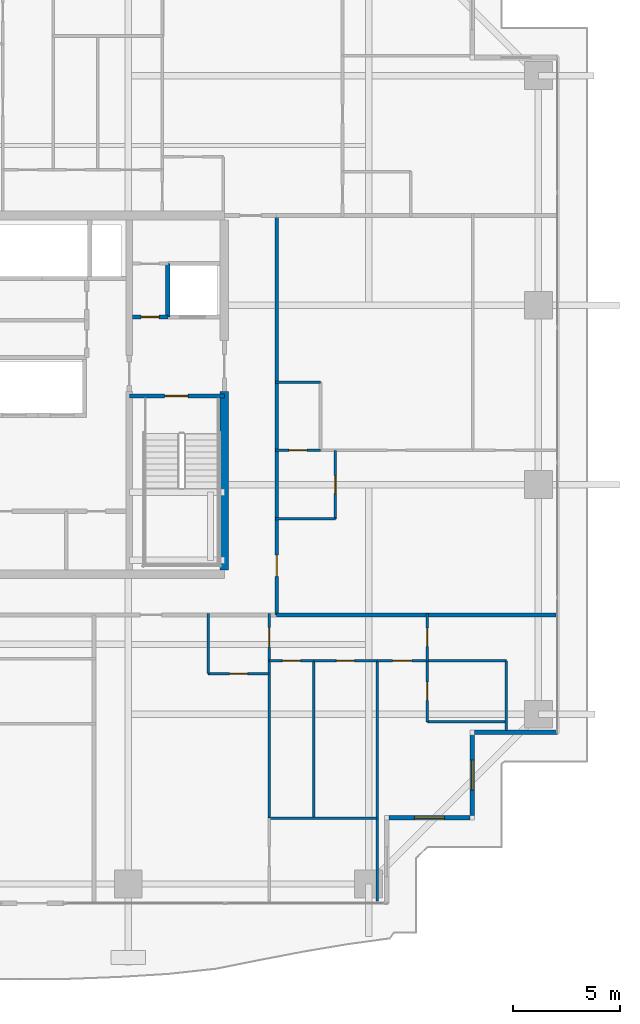
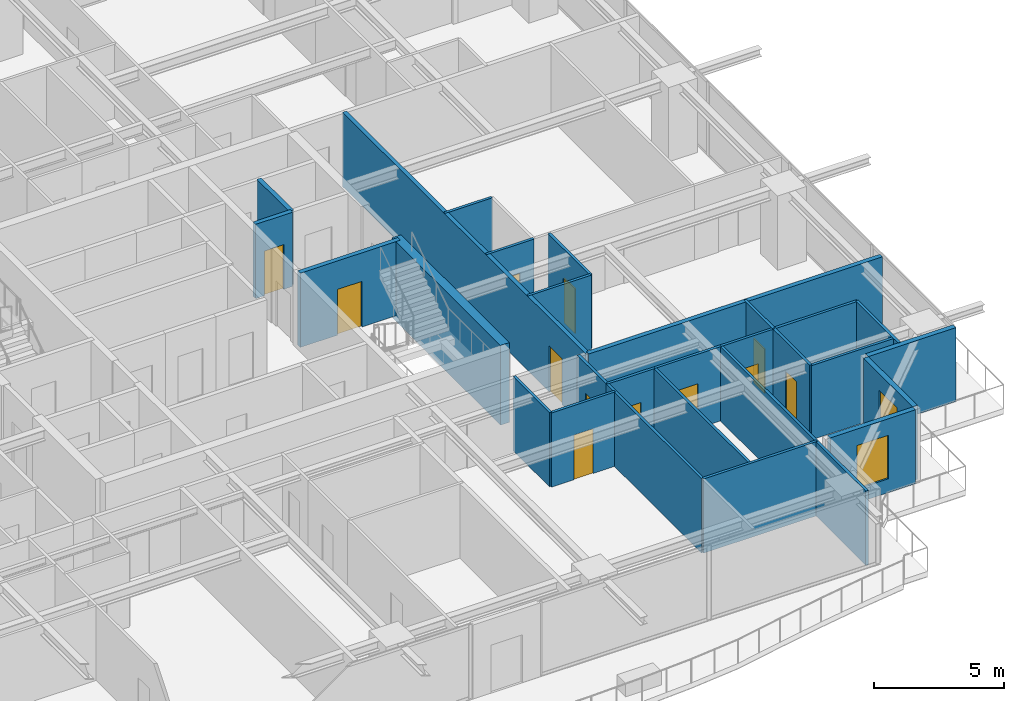
# One storey, part 26 of 35: 28 walls, 12 doors, 2 windows, 14 openings.
"""IFC4 building model written with IfcOpenShell, lengths in metres."""

import ifcopenshell
import ifcopenshell.guid

model = None  # the IFC model being written
_history = None  # IfcOwnerHistory: only IFC2X3 demands one
_inside = {}  # id of a spatial element -> (the spatial element, [elements in it])
_under = {}  # id of a project, library or spatial element -> (it, [spatial elements below it])
_declared = {}  # id of a project -> (the project, [libraries it declares])
_typed = {}  # id of a type object -> (the type object, [elements of that type])
_made_of = {}  # id of a material, layer set ... -> (it, [elements and type objects made of it])


def new_model(schema):
    """Start an empty IFC model of exactly this schema.

    Asked for "IFC4X3", IfcOpenShell would pick the latest addendum, in which some entities
    have other attributes; the version numbers below select the first issue.
    IFC2X3 requires an IfcOwnerHistory on every rooted entity: one is made here for all.
    """
    global model, _history
    if schema == "IFC4X3":
        model = ifcopenshell.file(schema_version=(4, 3, 0, 0))
    else:
        model = ifcopenshell.file(schema=schema)
    _inside.clear()
    _under.clear()
    _declared.clear()
    _typed.clear()
    _made_of.clear()
    _history = None
    if model.schema == "IFC2X3":
        org = make("IfcOrganization", Name="unknown")
        user = make(
            "IfcPersonAndOrganization",
            ThePerson=make("IfcPerson", FamilyName="unknown"),
            TheOrganization=org,
        )
        app = make(
            "IfcApplication",
            ApplicationDeveloper=org,
            Version="unknown",
            ApplicationFullName="unknown",
            ApplicationIdentifier="unknown",
        )
        _history = make(
            "IfcOwnerHistory",
            OwningUser=user,
            OwningApplication=app,
            ChangeAction="ADDED",
            CreationDate=0,
        )
    return model


def make(cls, **values):
    """One entity of the class cls with the attributes given. An attribute that is None is left unset."""
    return model.create_entity(
        cls, **{name: value for name, value in values.items() if value is not None}
    )


def rooted(cls, **values):
    """An entity with a GlobalId (a new one), such as an element, a storey or a relation."""
    return make(cls, GlobalId=ifcopenshell.guid.new(), OwnerHistory=_history, **values)


def si_unit(unit_type, name, prefix=None):
    """IfcSIUnit, for example si_unit("LENGTHUNIT", "METRE", prefix="MILLI")."""
    return make("IfcSIUnit", UnitType=unit_type, Prefix=prefix, Name=name)


def assignment(units):
    """IfcUnitAssignment: the units of a project."""
    return None if units is None else make("IfcUnitAssignment", Units=units)


def point(xyz):
    """IfcCartesianPoint."""
    return None if xyz is None else make("IfcCartesianPoint", Coordinates=xyz)


def direction(xyz):
    """IfcDirection."""
    return None if xyz is None else make("IfcDirection", DirectionRatios=xyz)


def frame(location, z_axis=None, x_axis=None):
    """IfcAxis2Placement3D, a coordinate frame: its origin and axes. An axis left out is left unset."""
    return make(
        "IfcAxis2Placement3D",
        Location=point(location),
        Axis=direction(z_axis),
        RefDirection=direction(x_axis),
    )


def frame_2d(location, x_axis=None):
    """IfcAxis2Placement2D, a coordinate frame in the plane: its origin and x axis."""
    return make(
        "IfcAxis2Placement2D", Location=point(location), RefDirection=direction(x_axis)
    )


def origin():
    """The frame at (0, 0, 0) with its axes left unset."""
    return frame((0.0, 0.0, 0.0))


def place(relative_to, where):
    """IfcLocalPlacement: puts the frame where relative to a parent placement (None: the world)."""
    return make(
        "IfcLocalPlacement", PlacementRelTo=relative_to, RelativePlacement=where
    )


def context(
    kind, dimensions, precision=None, world=None, true_north=None, identifier=None
):
    """IfcGeometricRepresentationContext, for example the 3D "Model" context."""
    return make(
        "IfcGeometricRepresentationContext",
        ContextIdentifier=identifier,
        ContextType=kind,
        CoordinateSpaceDimension=dimensions,
        Precision=precision,
        WorldCoordinateSystem=world,
        TrueNorth=true_north,
    )


def subcontext(parent, identifier, kind, view, scale=None):
    """IfcGeometricRepresentationSubContext, for example "Body" below "Model"."""
    return make(
        "IfcGeometricRepresentationSubContext",
        ContextIdentifier=identifier,
        ContextType=kind,
        ParentContext=parent,
        TargetScale=scale,
        TargetView=view,
    )


def project(units=None, contexts=None):
    """IfcProject with its units and contexts."""
    return rooted(
        "IfcProject",
        Name="project",
        RepresentationContexts=contexts,
        UnitsInContext=assignment(units),
    )


def spatial(cls, under=None, at=None, **own):
    """A site, building, storey or space (cls), placed at a placement, below another one or the project."""
    s = rooted(cls, ObjectPlacement=at, **own)
    if under is not None:
        _under.setdefault(under.id(), (under, []))[1].append(s)
    return s


def profile(cls, at=None, kind="AREA", **sizes):
    """A parametric profile (cls). Its sizes go by their IFC names, for example OverallWidth=200.0."""
    return make(cls, ProfileType=kind, Position=at, **sizes)


def rectangle(**sizes):
    """IfcRectangleProfileDef."""
    return profile("IfcRectangleProfileDef", **sizes)


def extrude(swept, where, along, depth):
    """IfcExtrudedAreaSolid: the profile swept, set in the frame where, extruded along a direction by depth."""
    return make(
        "IfcExtrudedAreaSolid",
        SweptArea=swept,
        Position=where,
        ExtrudedDirection=direction(along),
        Depth=depth,
    )


def shape(context_of_items, identifier, shape_type, items):
    """IfcShapeRepresentation: the items that make up one representation, for example the "Body"."""
    return make(
        "IfcShapeRepresentation",
        ContextOfItems=context_of_items,
        RepresentationIdentifier=identifier,
        RepresentationType=shape_type,
        Items=items,
    )


def source(mapping_origin, context_of_items, identifier, shape_type, items):
    """IfcRepresentationMap: a shape defined once, which mapped items show again and again."""
    return make(
        "IfcRepresentationMap",
        MappingOrigin=mapping_origin,
        MappedRepresentation=shape(context_of_items, identifier, shape_type, items),
    )


def transform(
    local_origin,
    x_axis=None,
    y_axis=None,
    z_axis=None,
    scale=None,
    scale2=None,
    scale3=None,
    uniform=True,
):
    """IfcCartesianTransformationOperator3D, or its non-uniform kind. x_axis, y_axis, z_axis: its Axis1, 2, 3."""
    if uniform:
        return make(
            "IfcCartesianTransformationOperator3D",
            Axis1=direction(x_axis),
            Axis2=direction(y_axis),
            LocalOrigin=point(local_origin),
            Scale=scale,
            Axis3=direction(z_axis),
        )
    return make(
        "IfcCartesianTransformationOperator3DnonUniform",
        Axis1=direction(x_axis),
        Axis2=direction(y_axis),
        LocalOrigin=point(local_origin),
        Scale=scale,
        Axis3=direction(z_axis),
        Scale2=scale2,
        Scale3=scale3,
    )


def mapped(mapping_source, mapping_target):
    """IfcMappedItem: shows the shape of a source again, moved by a transform."""
    return make(
        "IfcMappedItem", MappingSource=mapping_source, MappingTarget=mapping_target
    )


def material(Name=None, Category=None):
    """IfcMaterial."""
    return make("IfcMaterial", Name=Name, Category=Category)


def layer(
    of_material, thickness, ventilated=None, Name=None, Category=None, Priority=None
):
    """IfcMaterialLayer: one layer of a wall or slab, of a material (None: an air gap)."""
    return make(
        "IfcMaterialLayer",
        Material=of_material,
        LayerThickness=thickness,
        IsVentilated=ventilated,
        Name=Name,
        Category=Category,
        Priority=Priority,
    )


def layer_set(layers, Name=None):
    """IfcMaterialLayerSet."""
    return make("IfcMaterialLayerSet", MaterialLayers=layers, LayerSetName=Name)


def made_of(thing, what):
    """Note that an element or type object is made of a material, layer set ...; save() writes the relation."""
    if what is not None:
        _made_of.setdefault(what.id(), (what, []))[1].append(thing)
    return thing


def type_object(cls, material=None, **own):
    """A type object (cls), such as IfcWallType, which elements share."""
    return made_of(rooted(cls, **own), material)


def element(
    cls,
    number,
    at=None,
    inside=None,
    cuts=None,
    type_object=None,
    material=None,
    context=None,
    identifier="Body",
    shape_type=None,
    held_by="IfcProductDefinitionShape",
    body=None,
    shapes=None,
    **own,
):
    """One element of the class cls, such as IfcWall. Its Tag is "e" and its number.

    at: its placement. inside: the storey or other place that contains it. cuts: it is an
    opening in that element (IfcRelVoidsElement). A single representation is given by context,
    identifier, shape_type and body (its items); several are given by shapes. held_by: the class
    of the entity that holds the representations. save() writes the other relations.
    """
    e = rooted(cls, Tag="e%d" % number, ObjectPlacement=at, **own)
    if body is not None:
        shapes = [shape(context, identifier, shape_type, body)]
    if shapes is not None:
        e.Representation = make(held_by, Representations=shapes)
    if inside is not None:
        _inside.setdefault(inside.id(), (inside, []))[1].append(e)
    if cuts is not None:
        rooted(
            "IfcRelVoidsElement", RelatingBuildingElement=cuts, RelatedOpeningElement=e
        )
    if type_object is not None:
        _typed.setdefault(type_object.id(), (type_object, []))[1].append(e)
    return made_of(e, material)


def fill(opening, filler):
    """IfcRelFillsElement: the door or window that sits in an opening."""
    return rooted(
        "IfcRelFillsElement",
        RelatingOpeningElement=opening,
        RelatedBuildingElement=filler,
    )


def aggregate(whole, parts):
    """IfcRelAggregates: a whole, such as a stair, and the parts it consists of."""
    return rooted("IfcRelAggregates", RelatingObject=whole, RelatedObjects=parts)


def save(model, path):
    """Write the relations noted so far, then the file.

    IfcRelAggregates (storeys below a building ...), IfcRelContainedInSpatialStructure (elements
    in a storey), IfcRelDefinesByType, IfcRelAssociatesMaterial and IfcRelDeclares: one each for
    every whole, place, type object, material and project.
    """
    for whole, parts in _under.values():
        aggregate(whole, parts)
    for where, things in _inside.values():
        rooted(
            "IfcRelContainedInSpatialStructure",
            RelatedElements=things,
            RelatingStructure=where,
        )
    for kind, things in _typed.values():
        rooted("IfcRelDefinesByType", RelatedObjects=things, RelatingType=kind)
    for what, things in _made_of.values():
        rooted("IfcRelAssociatesMaterial", RelatedObjects=things, RelatingMaterial=what)
    for by, libraries in _declared.values():
        rooted("IfcRelDeclares", RelatingContext=by, RelatedDefinitions=libraries)
    model.write(path)


model = new_model("IFC4")

# Units and contexts
model_context = context("Model", 3, precision=1e-05, world=origin(), true_north=direction((0.0, 1.0)))
body_context = subcontext(model_context, "Body", "Model", "MODEL_VIEW")
ifc_project = project(units=[si_unit("LENGTHUNIT", "METRE"), si_unit("AREAUNIT", "SQUARE_METRE"), si_unit("VOLUMEUNIT", "CUBIC_METRE"), si_unit("PLANEANGLEUNIT", "RADIAN"), si_unit("MASSUNIT", "GRAM", prefix="KILO")], contexts=[model_context])

# Site, building, storey
site_placement = place(None, origin())
site = spatial("IfcSite", under=ifc_project, at=site_placement, CompositionType="ELEMENT")
building_placement = place(site_placement, origin())
building = spatial("IfcBuilding", under=site, at=building_placement, Name="Serunith Strait Residences", CompositionType="ELEMENT")
storey_placement = place(building_placement, frame((0.0, 0.0, 172.64990234375)))
storey = spatial("IfcBuildingStorey", under=building, at=storey_placement, Name="L43", CompositionType="ELEMENT", Elevation=172.64990234375)

# Wall, opening, window
ifc_material_1 = material(Name="Pale-Champagne Aluminium Insulated Panel", Category="aluminium")
ifc_layer_1 = layer(ifc_material_1, 0.219970703125, Name="Pale-Champagne Aluminium Insulated Panel")
ifc_layer_set_1 = layer_set([ifc_layer_1], Name="Pale-Champagne Aluminium Insulated Panel")
wall_type_1 = type_object("IfcWallType", Name="EW-ALUM-220", PredefinedType="ELEMENTEDWALL", material=ifc_layer_set_1)
wall_1_placement = place(storey_placement, frame((49.110107421875, 5.39990234375, 0.0), z_axis=(0.0, 0.0, 1.0), x_axis=(1.0, 0.0, 0.0)))
wall_1 = element("IfcWall", 1, at=wall_1_placement, inside=storey, type_object=wall_type_1, Name="L43 Girih Serrated Corner Wall 03", PredefinedType="ELEMENTEDWALL", context=body_context, shape_type="SweptSolid", body=[
    extrude(rectangle(XDim=3.77978515625, YDim=0.219970703125, at=frame_2d((1.889892578125, 0.0))), origin(), (0.0, 0.0, 1.0), 3.47509765625),
])
opening_1_placement = place(wall_1_placement, frame((1.18994140625, 0.0, 0.64990234375)))
opening_1 = element("IfcOpeningElement", 2, at=opening_1_placement, cuts=wall_1, Name="Opening W-03", PredefinedType="OPENING", context=body_context, shape_type="SweptSolid", body=[
    extrude(rectangle(XDim=1.39990234375, YDim=2.050048828125, at=frame_2d((0.699951171875, 1.02490234375))), frame((0.0, 0.1201171875, 0.0), z_axis=(0.0, -1.0, 0.0), x_axis=(1.0, 0.0, 0.0)), (0.0, 0.0, 1.0), 0.239990234375),
])
ifc_material_2 = material(Name="Ceramic-Fritted Operable Aluminium Window Glass", Category="aluminium")
window_type = type_object("IfcWindowType", Name="WIN-C3", PartitioningType="SINGLE_PANEL", PredefinedType="WINDOW", material=ifc_material_2)
shared_shape_1 = source(origin(), body_context, "Body", "SweptSolid", [
    extrude(rectangle(XDim=1.39990234375, YDim=2.050048828125, at=frame_2d((0.699951171875, 1.02490234375))), frame((0.0, 0.030029296875, 0.0), z_axis=(0.0, -1.0, 0.0), x_axis=(1.0, 0.0, 0.0)), (0.0, 0.0, 1.0), 0.06005859375),
])
window_1_placement = place(opening_1_placement, origin())
window_1 = element("IfcWindow", 3, at=window_1_placement, inside=storey, type_object=window_type, Name="L43 Corner Operable Fritted Window 03", OverallHeight=2.050048828125, OverallWidth=1.39990234375, PartitioningType="SINGLE_PANEL", PredefinedType="WINDOW", context=body_context, shape_type="MappedRepresentation", body=[
    mapped(shared_shape_1, transform((0.0, 0.0, 0.0), scale=1.0)),
])
fill(opening_1, window_1)

wall_2_placement = place(storey_placement, frame((53.0, 5.510009765625, 0.0), z_axis=(0.0, 0.0, 1.0), x_axis=(0.0, 1.0, 0.0)))
wall_2 = element("IfcWall", 4, at=wall_2_placement, inside=storey, type_object=wall_type_1, Name="L43 Girih Serrated Corner Wall 04", PredefinedType="ELEMENTEDWALL", context=body_context, shape_type="SweptSolid", body=[
    extrude(rectangle(XDim=3.780029296875, YDim=0.219970703125, at=frame_2d((1.89013671875, 0.0))), origin(), (0.0, 0.0, 1.0), 3.47509765625),
])
opening_2_placement = place(wall_2_placement, frame((1.18994140625, 0.0, 0.64990234375)))
opening_2 = element("IfcOpeningElement", 5, at=opening_2_placement, cuts=wall_2, Name="Opening W-03", PredefinedType="OPENING", context=body_context, shape_type="SweptSolid", body=[
    extrude(rectangle(XDim=1.39990234375, YDim=2.050048828125, at=frame_2d((0.699951171875, 1.02490234375))), frame((0.0, 0.1201171875, 0.0), z_axis=(0.0, -1.0, 0.0), x_axis=(1.0, 0.0, 0.0)), (0.0, 0.0, 1.0), 0.239990234375),
])
window_2_placement = place(opening_2_placement, origin())
window_2 = element("IfcWindow", 6, at=window_2_placement, inside=storey, type_object=window_type, Name="L43 Corner Operable Fritted Window 04", OverallHeight=2.050048828125, OverallWidth=1.39990234375, PartitioningType="SINGLE_PANEL", PredefinedType="WINDOW", context=body_context, shape_type="MappedRepresentation", body=[
    mapped(shared_shape_1, transform((0.0, 0.0, 0.0), scale=1.0)),
])
fill(opening_2, window_2)

# Wall
wall_3_placement = place(storey_placement, frame((53.110107421875, 9.39990234375, 0.0), z_axis=(0.0, 0.0, 1.0), x_axis=(1.0, 0.0, 0.0)))
element("IfcWall", 7, at=wall_3_placement, inside=storey, type_object=wall_type_1, Name="L43 Girih Serrated Corner Wall 05", PredefinedType="ELEMENTEDWALL", context=body_context, shape_type="SweptSolid", body=[
    extrude(rectangle(XDim=3.889892578125, YDim=0.219970703125, at=frame_2d((1.94482421875, 0.0))), origin(), (0.0, 0.0, 1.0), 3.47509765625),
])

# Wall, opening, door
ifc_material_3 = material(Name="Fire-rated acoustic gypsum partition")
ifc_layer_2 = layer(ifc_material_3, 0.179931640625, Name="Fire-rated acoustic gypsum partition")
ifc_layer_set_2 = layer_set([ifc_layer_2], Name="Fire-rated acoustic gypsum partition")
wall_type_2 = type_object("IfcWallType", Name="IW-CORR-180", PredefinedType="PARTITIONING", material=ifc_layer_set_2)
wall_4_placement = place(storey_placement, frame((43.85009765625, 14.89990234375, 0.0), z_axis=(0.0, 0.0, 1.0), x_axis=(0.0, 1.0, 0.0)))
wall_4 = element("IfcWall", 8, at=wall_4_placement, inside=storey, type_object=wall_type_2, Name="L43 Partition Wall 030", PredefinedType="PARTITIONING", context=body_context, shape_type="SweptSolid", body=[
    extrude(rectangle(XDim=18.7001953125, YDim=0.179931640625, at=frame_2d((9.35009765625, 0.0))), origin(), (0.0, 0.0, 1.0), 3.489990234375),
])
opening_3_placement = place(wall_4_placement, frame((1.804931640625, 0.0, 0.0)))
opening_3 = element("IfcOpeningElement", 9, at=opening_3_placement, cuts=wall_4, Name="Opening D-APT1000", PredefinedType="OPENING", context=body_context, shape_type="SweptSolid", body=[
    extrude(rectangle(XDim=1.0, YDim=2.14990234375, at=frame_2d((0.5, 1.074951171875))), frame((0.0, 0.10009765625, 0.0), z_axis=(0.0, -1.0, 0.0), x_axis=(1.0, 0.0, 0.0)), (0.0, 0.0, 1.0), 0.199951171875),
])
ifc_material_4 = material(Name="Solid timber engineered fire door", Category="wood")
door_type_1 = type_object("IfcDoorType", Name="ID-APT-1000", OperationType="NOTDEFINED", PredefinedType="DOOR", material=ifc_material_4)
shared_shape_2 = source(origin(), body_context, "Body", "SweptSolid", [
    extrude(rectangle(XDim=1.0, YDim=2.14990234375, at=frame_2d((0.5, 1.074951171875))), frame((0.0, 0.02490234375, 0.0), z_axis=(0.0, -1.0, 0.0), x_axis=(1.0, 0.0, 0.0)), (0.0, 0.0, 1.0), 0.050048828125),
])
door_1_placement = place(opening_3_placement, origin())
door_1 = element("IfcDoor", 10, at=door_1_placement, inside=storey, type_object=door_type_1, Name="L43 Unit 08 Entrance Door", OperationType="SINGLE_SWING_RIGHT", OverallHeight=2.14990234375, OverallWidth=1.0, PredefinedType="DOOR", context=body_context, shape_type="MappedRepresentation", body=[
    mapped(shared_shape_2, transform((0.0, 0.0, 0.0), scale=1.0)),
])
fill(opening_3, door_1)

ifc_material_5 = material(Name="Lightweight steel-stud gypsum partition", Category="steel")
ifc_layer_3 = layer(ifc_material_5, 0.1201171875, Name="Lightweight steel-stud gypsum partition")
ifc_layer_set_3 = layer_set([ifc_layer_3], Name="Lightweight steel-stud gypsum partition")
wall_type_3 = type_object("IfcWallType", Name="IW-PART-120", PredefinedType="PARTITIONING", material=ifc_layer_set_3)
wall_5_placement = place(storey_placement, frame((40.639892578125, 12.14990234375, 0.0), z_axis=(0.0, 0.0, 1.0), x_axis=(1.0, 0.0, 0.0)))
wall_5 = element("IfcWall", 11, at=wall_5_placement, inside=storey, type_object=wall_type_3, Name="L43 Partition Wall 046", PredefinedType="PARTITIONING", context=body_context, shape_type="SweptSolid", body=[
    extrude(rectangle(XDim=2.85009765625, YDim=0.1201171875, at=frame_2d((1.425048828125, 0.0))), origin(), (0.0, 0.0, 1.0), 3.489990234375),
])
opening_4_placement = place(wall_5_placement, frame((1.0, 0.0, 0.0)))
opening_4 = element("IfcOpeningElement", 12, at=opening_4_placement, cuts=wall_5, Name="Opening D-RM850", PredefinedType="OPENING", context=body_context, shape_type="SweptSolid", body=[
    extrude(rectangle(XDim=0.85009765625, YDim=2.10009765625, at=frame_2d((0.425048828125, 1.050048828125))), frame((0.0, 0.070068359375, 0.0), z_axis=(0.0, -1.0, 0.0), x_axis=(1.0, 0.0, 0.0)), (0.0, 0.0, 1.0), 0.14013671875),
])
ifc_material_6 = material(Name="Engineered timber flush study and kitchen door", Category="wood")
door_type_2 = type_object("IfcDoorType", Name="ID-ROOM-850", OperationType="NOTDEFINED", PredefinedType="DOOR", material=ifc_material_6)
shared_shape_3 = source(origin(), body_context, "Body", "SweptSolid", [
    extrude(rectangle(XDim=0.85009765625, YDim=2.10009765625, at=frame_2d((0.425048828125, 1.050048828125))), frame((0.0, 0.02490234375, 0.0), z_axis=(0.0, -1.0, 0.0), x_axis=(1.0, 0.0, 0.0)), (0.0, 0.0, 1.0), 0.050048828125),
])
door_2_placement = place(opening_4_placement, origin())
door_2 = element("IfcDoor", 13, at=door_2_placement, inside=storey, type_object=door_type_2, Name="L43 Kitchen 4303 Door", OperationType="SINGLE_SWING_RIGHT", OverallHeight=2.10009765625, OverallWidth=0.85009765625, PredefinedType="DOOR", context=body_context, shape_type="MappedRepresentation", body=[
    mapped(shared_shape_3, transform((0.0, 0.0, 0.0), scale=1.0)),
])
fill(opening_4, door_2)

# Wall
wall_6_placement = place(storey_placement, frame((40.639892578125, 12.14990234375, 0.0), z_axis=(0.0, 0.0, 1.0), x_axis=(0.0, 1.0, 0.0)))
element("IfcWall", 14, at=wall_6_placement, inside=storey, type_object=wall_type_3, Name="L43 Partition Wall 047", PredefinedType="PARTITIONING", context=body_context, shape_type="SweptSolid", body=[
    extrude(rectangle(XDim=2.81005859375, YDim=0.1201171875, at=frame_2d((1.405029296875, 0.0))), origin(), (0.0, 0.0, 1.0), 3.489990234375),
])

# Wall, opening, door
wall_7_placement = place(storey_placement, frame((43.489990234375, 12.75, 0.0), z_axis=(0.0, 0.0, 1.0), x_axis=(0.0, 1.0, 0.0)))
wall_7 = element("IfcWall", 15, at=wall_7_placement, inside=storey, type_object=wall_type_3, Name="L43 Partition Wall 048", PredefinedType="PARTITIONING", context=body_context, shape_type="SweptSolid", body=[
    extrude(rectangle(XDim=2.2099609375, YDim=0.1201171875, at=frame_2d((1.10498046875, 0.0))), origin(), (0.0, 0.0, 1.0), 3.489990234375),
])
opening_5_placement = place(wall_7_placement, frame((0.655029296875, 0.0, 0.0)))
opening_5 = element("IfcOpeningElement", 16, at=opening_5_placement, cuts=wall_7, Name="Opening D-RM900", PredefinedType="OPENING", context=body_context, shape_type="SweptSolid", body=[
    extrude(rectangle(XDim=0.89990234375, YDim=2.10009765625, at=frame_2d((0.449951171875, 1.050048828125))), frame((0.0, 0.070068359375, 0.0), z_axis=(0.0, -1.0, 0.0), x_axis=(1.0, 0.0, 0.0)), (0.0, 0.0, 1.0), 0.14013671875),
])
ifc_material_7 = material(Name="Engineered timber flush bedroom door", Category="wood")
door_type_3 = type_object("IfcDoorType", Name="ID-ROOM-900", OperationType="NOTDEFINED", PredefinedType="DOOR", material=ifc_material_7)
shared_shape_4 = source(origin(), body_context, "Body", "SweptSolid", [
    extrude(rectangle(XDim=0.89990234375, YDim=2.10009765625, at=frame_2d((0.449951171875, 1.050048828125))), frame((0.0, 0.02490234375, 0.0), z_axis=(0.0, -1.0, 0.0), x_axis=(1.0, 0.0, 0.0)), (0.0, 0.0, 1.0), 0.050048828125),
])
door_3_placement = place(opening_5_placement, origin())
door_3 = element("IfcDoor", 17, at=door_3_placement, inside=storey, type_object=door_type_3, Name="L43 Hall E 4303 Door", OperationType="SINGLE_SWING_LEFT", OverallHeight=2.10009765625, OverallWidth=0.89990234375, PredefinedType="DOOR", context=body_context, shape_type="MappedRepresentation", body=[
    mapped(shared_shape_4, transform((0.0, 0.0, 0.0), scale=1.0)),
])
fill(opening_5, door_3)

# Walls
wall_8_placement = place(storey_placement, frame((43.489990234375, 5.387939453125, 0.0), z_axis=(0.0, 0.0, 1.0), x_axis=(0.0, 1.0, 0.0)))
element("IfcWall", 18, at=wall_8_placement, inside=storey, type_object=wall_type_3, Name="L43 Partition Wall 050", PredefinedType="PARTITIONING", context=body_context, shape_type="SweptSolid", body=[
    extrude(rectangle(XDim=7.360107421875, YDim=0.1201171875, at=frame_2d((3.68017578125, 0.0))), origin(), (0.0, 0.0, 1.0), 3.489990234375),
])
wall_9_placement = place(storey_placement, frame((43.489990234375, 5.385986328125, 0.0), z_axis=(0.0, 0.0, 1.0), x_axis=(1.0, 0.0, 0.0)))
element("IfcWall", 19, at=wall_9_placement, inside=storey, type_object=wall_type_3, Name="L43 Partition Wall 051", PredefinedType="PARTITIONING", context=body_context, shape_type="SweptSolid", body=[
    extrude(rectangle(XDim=5.06005859375, YDim=0.1201171875, at=frame_2d((2.530029296875, 0.0))), origin(), (0.0, 0.0, 1.0), 3.489990234375),
])
wall_10_placement = place(storey_placement, frame((48.550048828125, 1.4951171875, 0.0), z_axis=(0.0, 0.0, 1.0), x_axis=(0.0, 1.0, 0.0)))
element("IfcWall", 20, at=wall_10_placement, inside=storey, type_object=wall_type_3, Name="L43 Partition Wall 052", PredefinedType="PARTITIONING", context=body_context, shape_type="SweptSolid", body=[
    extrude(rectangle(XDim=11.2548828125, YDim=0.1201171875, at=frame_2d((5.62744140625, 0.0))), origin(), (0.0, 0.0, 1.0), 3.489990234375),
])
wall_11_placement = place(storey_placement, frame((45.590087890625, 5.385986328125, 0.0), z_axis=(0.0, 0.0, 1.0), x_axis=(0.0, 1.0, 0.0)))
element("IfcWall", 21, at=wall_11_placement, inside=storey, type_object=wall_type_3, Name="L43 Partition Wall 053", PredefinedType="PARTITIONING", context=body_context, shape_type="SweptSolid", body=[
    extrude(rectangle(XDim=7.364013671875, YDim=0.1201171875, at=frame_2d((3.68212890625, 0.0))), origin(), (0.0, 0.0, 1.0), 3.489990234375),
])

# Wall, opening, door
wall_12_placement = place(storey_placement, frame((43.489990234375, 12.75, 0.0), z_axis=(0.0, 0.0, 1.0), x_axis=(1.0, 0.0, 0.0)))
wall_12 = element("IfcWall", 22, at=wall_12_placement, inside=storey, type_object=wall_type_3, Name="L43 Partition Wall 054", PredefinedType="PARTITIONING", context=body_context, shape_type="SweptSolid", body=[
    extrude(rectangle(XDim=2.10009765625, YDim=0.1201171875, at=frame_2d((1.050048828125, 0.0))), origin(), (0.0, 0.0, 1.0), 3.489990234375),
])
opening_6_placement = place(wall_12_placement, frame((0.625, 0.0, 0.0)))
opening_6 = element("IfcOpeningElement", 23, at=opening_6_placement, cuts=wall_12, Name="Opening D-BTH850", PredefinedType="OPENING", context=body_context, shape_type="SweptSolid", body=[
    extrude(rectangle(XDim=0.85009765625, YDim=2.10009765625, at=frame_2d((0.425048828125, 1.050048828125))), frame((0.0, 0.070068359375, 0.0), z_axis=(0.0, -1.0, 0.0), x_axis=(1.0, 0.0, 0.0)), (0.0, 0.0, 1.0), 0.14013671875),
])
ifc_material_8 = material(Name="Moisture-resistant timber bathroom door", Category="wood")
door_type_4 = type_object("IfcDoorType", Name="ID-BATH-850", OperationType="NOTDEFINED", PredefinedType="DOOR", material=ifc_material_8)
door_4_placement = place(opening_6_placement, origin())
door_4 = element("IfcDoor", 24, at=door_4_placement, inside=storey, type_object=door_type_4, Name="L43 Bathroom 4303 Door", OperationType="SINGLE_SWING_LEFT", OverallHeight=2.10009765625, OverallWidth=0.85009765625, PredefinedType="DOOR", context=body_context, shape_type="MappedRepresentation", body=[
    mapped(shared_shape_3, transform((0.0, 0.0, 0.0), scale=1.0)),
])
fill(opening_6, door_4)

wall_13_placement = place(storey_placement, frame((45.592041015625, 12.75, 0.0), z_axis=(0.0, 0.0, 1.0), x_axis=(1.0, 0.0, 0.0)))
wall_13 = element("IfcWall", 25, at=wall_13_placement, inside=storey, type_object=wall_type_3, Name="L43 Partition Wall 055", PredefinedType="PARTITIONING", context=body_context, shape_type="SweptSolid", body=[
    extrude(rectangle(XDim=2.9580078125, YDim=0.1201171875, at=frame_2d((1.47900390625, 0.0))), origin(), (0.0, 0.0, 1.0), 3.489990234375),
])
opening_7_placement = place(wall_13_placement, frame((1.053955078125, 0.0, 0.0)))
opening_7 = element("IfcOpeningElement", 26, at=opening_7_placement, cuts=wall_13, Name="Opening D-RM850", PredefinedType="OPENING", context=body_context, shape_type="SweptSolid", body=[
    extrude(rectangle(XDim=0.85009765625, YDim=2.10009765625, at=frame_2d((0.425048828125, 1.050048828125))), frame((0.0, 0.070068359375, 0.0), z_axis=(0.0, -1.0, 0.0), x_axis=(1.0, 0.0, 0.0)), (0.0, 0.0, 1.0), 0.14013671875),
])
door_5_placement = place(opening_7_placement, origin())
door_5 = element("IfcDoor", 27, at=door_5_placement, inside=storey, type_object=door_type_2, Name="L43 Study 4303 Door", OperationType="SINGLE_SWING_RIGHT", OverallHeight=2.10009765625, OverallWidth=0.85009765625, PredefinedType="DOOR", context=body_context, shape_type="MappedRepresentation", body=[
    mapped(shared_shape_3, transform((0.0, 0.0, 0.0), scale=1.0)),
])
fill(opening_7, door_5)

wall_14_placement = place(storey_placement, frame((48.552001953125, 12.75, 0.0), z_axis=(0.0, 0.0, 1.0), x_axis=(1.0, 0.0, 0.0)))
wall_14 = element("IfcWall", 28, at=wall_14_placement, inside=storey, type_object=wall_type_3, Name="L43 Partition Wall 056", PredefinedType="PARTITIONING", context=body_context, shape_type="SweptSolid", body=[
    extrude(rectangle(XDim=2.347900390625, YDim=0.1201171875, at=frame_2d((1.173828125, 0.0))), origin(), (0.0, 0.0, 1.0), 3.489990234375),
])
opening_8_placement = place(wall_14_placement, frame((0.72412109375, 0.0, 0.0)))
opening_8 = element("IfcOpeningElement", 29, at=opening_8_placement, cuts=wall_14, Name="Opening D-RM900", PredefinedType="OPENING", context=body_context, shape_type="SweptSolid", body=[
    extrude(rectangle(XDim=0.89990234375, YDim=2.10009765625, at=frame_2d((0.449951171875, 1.050048828125))), frame((0.0, 0.070068359375, 0.0), z_axis=(0.0, -1.0, 0.0), x_axis=(1.0, 0.0, 0.0)), (0.0, 0.0, 1.0), 0.14013671875),
])
door_6_placement = place(opening_8_placement, origin())
door_6 = element("IfcDoor", 30, at=door_6_placement, inside=storey, type_object=door_type_3, Name="L43 Master Bedroom E 4303 Door", OperationType="SINGLE_SWING_LEFT", OverallHeight=2.10009765625, OverallWidth=0.89990234375, PredefinedType="DOOR", context=body_context, shape_type="MappedRepresentation", body=[
    mapped(shared_shape_4, transform((0.0, 0.0, 0.0), scale=1.0)),
])
fill(opening_8, door_6)

# Walls
wall_15_placement = place(storey_placement, frame((50.89990234375, 9.89501953125, 0.0), z_axis=(0.0, 0.0, 1.0), x_axis=(1.0, 0.0, 0.0)))
element("IfcWall", 31, at=wall_15_placement, inside=storey, type_object=wall_type_3, Name="L43 Partition Wall 057", PredefinedType="PARTITIONING", context=body_context, shape_type="SweptSolid", body=[
    extrude(rectangle(XDim=3.7001953125, YDim=0.1201171875, at=frame_2d((1.85009765625, 0.0))), origin(), (0.0, 0.0, 1.0), 3.489990234375),
])
wall_16_placement = place(storey_placement, frame((54.60009765625, 9.4951171875, 0.0), z_axis=(0.0, 0.0, 1.0), x_axis=(0.0, 1.0, 0.0)))
element("IfcWall", 32, at=wall_16_placement, inside=storey, type_object=wall_type_3, Name="L43 Partition Wall 058", PredefinedType="PARTITIONING", context=body_context, shape_type="SweptSolid", body=[
    extrude(rectangle(XDim=3.2548828125, YDim=0.1201171875, at=frame_2d((1.62744140625, 0.0))), origin(), (0.0, 0.0, 1.0), 3.489990234375),
])
wall_17_placement = place(storey_placement, frame((50.902099609375, 12.75, 0.0), z_axis=(0.0, 0.0, 1.0), x_axis=(1.0, 0.0, 0.0)))
element("IfcWall", 33, at=wall_17_placement, inside=storey, type_object=wall_type_3, Name="L43 Partition Wall 059", PredefinedType="PARTITIONING", context=body_context, shape_type="SweptSolid", body=[
    extrude(rectangle(XDim=3.697998046875, YDim=0.1201171875, at=frame_2d((1.84912109375, 0.0))), origin(), (0.0, 0.0, 1.0), 3.489990234375),
])

# Wall, opening, door
wall_18_placement = place(storey_placement, frame((50.89990234375, 9.89501953125, 0.0), z_axis=(0.0, 0.0, 1.0), x_axis=(0.0, 1.0, 0.0)))
wall_18 = element("IfcWall", 34, at=wall_18_placement, inside=storey, type_object=wall_type_3, Name="L43 Partition Wall 060", PredefinedType="PARTITIONING", context=body_context, shape_type="SweptSolid", body=[
    extrude(rectangle(XDim=2.85498046875, YDim=0.1201171875, at=frame_2d((1.427490234375, 0.0))), origin(), (0.0, 0.0, 1.0), 3.489990234375),
])
opening_9_placement = place(wall_18_placement, frame((1.0029296875, 0.0, 0.0)))
opening_9 = element("IfcOpeningElement", 35, at=opening_9_placement, cuts=wall_18, Name="Opening D-BTH850", PredefinedType="OPENING", context=body_context, shape_type="SweptSolid", body=[
    extrude(rectangle(XDim=0.85009765625, YDim=2.10009765625, at=frame_2d((0.425048828125, 1.050048828125))), frame((0.0, 0.070068359375, 0.0), z_axis=(0.0, -1.0, 0.0), x_axis=(1.0, 0.0, 0.0)), (0.0, 0.0, 1.0), 0.14013671875),
])
door_7_placement = place(opening_9_placement, origin())
door_7 = element("IfcDoor", 36, at=door_7_placement, inside=storey, type_object=door_type_4, Name="L43 En-suite Bathroom E 4303 Door", OperationType="SINGLE_SWING_RIGHT", OverallHeight=2.10009765625, OverallWidth=0.85009765625, PredefinedType="DOOR", context=body_context, shape_type="MappedRepresentation", body=[
    mapped(shared_shape_3, transform((0.0, 0.0, 0.0), scale=1.0)),
])
fill(opening_9, door_7)

wall_19_placement = place(storey_placement, frame((50.89990234375, 12.751953125, 0.0), z_axis=(0.0, 0.0, 1.0), x_axis=(0.0, 1.0, 0.0)))
wall_19 = element("IfcWall", 37, at=wall_19_placement, inside=storey, type_object=wall_type_3, Name="L43 Partition Wall 061", PredefinedType="PARTITIONING", context=body_context, shape_type="SweptSolid", body=[
    extrude(rectangle(XDim=2.2080078125, YDim=0.1201171875, at=frame_2d((1.10400390625, 0.0))), origin(), (0.0, 0.0, 1.0), 3.489990234375),
])
opening_10_placement = place(wall_19_placement, frame((0.678955078125, 0.0, 0.0)))
opening_10 = element("IfcOpeningElement", 38, at=opening_10_placement, cuts=wall_19, Name="Opening D-RM850", PredefinedType="OPENING", context=body_context, shape_type="SweptSolid", body=[
    extrude(rectangle(XDim=0.85009765625, YDim=2.10009765625, at=frame_2d((0.425048828125, 1.050048828125))), frame((0.0, 0.070068359375, 0.0), z_axis=(0.0, -1.0, 0.0), x_axis=(1.0, 0.0, 0.0)), (0.0, 0.0, 1.0), 0.14013671875),
])
door_8_placement = place(opening_10_placement, origin())
door_8 = element("IfcDoor", 39, at=door_8_placement, inside=storey, type_object=door_type_2, Name="L43 Wardrobe E 4303 Door", OperationType="SINGLE_SWING_LEFT", OverallHeight=2.10009765625, OverallWidth=0.85009765625, PredefinedType="DOOR", context=body_context, shape_type="MappedRepresentation", body=[
    mapped(shared_shape_3, transform((0.0, 0.0, 0.0), scale=1.0)),
])
fill(opening_10, door_8)

wall_20_placement = place(storey_placement, frame((46.60009765625, 19.39990234375, 0.0), z_axis=(0.0, 0.0, 1.0), x_axis=(0.0, 1.0, 0.0)))
wall_20 = element("IfcWall", 40, at=wall_20_placement, inside=storey, type_object=wall_type_3, Name="L43 Partition Wall 105", PredefinedType="PARTITIONING", context=body_context, shape_type="SweptSolid", body=[
    extrude(rectangle(XDim=3.2001953125, YDim=0.1201171875, at=frame_2d((1.60009765625, 0.0))), origin(), (0.0, 0.0, 1.0), 3.489990234375),
])
opening_11_placement = place(wall_20_placement, frame((1.175048828125, 0.0, 0.0)))
opening_11 = element("IfcOpeningElement", 41, at=opening_11_placement, cuts=wall_20, Name="Opening D-RM850", PredefinedType="OPENING", context=body_context, shape_type="SweptSolid", body=[
    extrude(rectangle(XDim=0.85009765625, YDim=2.10009765625, at=frame_2d((0.425048828125, 1.050048828125))), frame((0.0, 0.070068359375, 0.0), z_axis=(0.0, -1.0, 0.0), x_axis=(1.0, 0.0, 0.0)), (0.0, 0.0, 1.0), 0.14013671875),
])
door_9_placement = place(opening_11_placement, origin())
door_9 = element("IfcDoor", 42, at=door_9_placement, inside=storey, type_object=door_type_2, Name="L43 Kitchen 4308 Door", OperationType="SINGLE_SWING_RIGHT", OverallHeight=2.10009765625, OverallWidth=0.85009765625, PredefinedType="DOOR", context=body_context, shape_type="MappedRepresentation", body=[
    mapped(shared_shape_3, transform((0.0, 0.0, 0.0), scale=1.0)),
])
fill(opening_11, door_9)

# Walls
wall_21_placement = place(storey_placement, frame((46.60009765625, 19.39990234375, 0.0), z_axis=(0.0, 0.0, 1.0), x_axis=(-1.0, 0.0, 0.0)))
element("IfcWall", 43, at=wall_21_placement, inside=storey, type_object=wall_type_3, Name="L43 Partition Wall 106", PredefinedType="PARTITIONING", context=body_context, shape_type="SweptSolid", body=[
    extrude(rectangle(XDim=2.81005859375, YDim=0.1201171875, at=frame_2d((1.405029296875, 0.0))), origin(), (0.0, 0.0, 1.0), 3.489990234375),
])
wall_22_placement = place(storey_placement, frame((45.89990234375, 25.800048828125, 0.0), z_axis=(0.0, 0.0, 1.0), x_axis=(-1.0, 0.0, 0.0)))
element("IfcWall", 44, at=wall_22_placement, inside=storey, type_object=wall_type_3, Name="L43 Partition Wall 110", PredefinedType="PARTITIONING", context=body_context, shape_type="SweptSolid", body=[
    extrude(rectangle(XDim=2.10986328125, YDim=0.1201171875, at=frame_2d((1.054931640625, 0.0))), origin(), (0.0, 0.0, 1.0), 3.489990234375),
])

# Wall, opening, door
wall_23_placement = place(storey_placement, frame((45.89794921875, 22.60009765625, 0.0), z_axis=(0.0, 0.0, 1.0), x_axis=(-1.0, 0.0, 0.0)))
wall_23 = element("IfcWall", 45, at=wall_23_placement, inside=storey, type_object=wall_type_3, Name="L43 Partition Wall 112", PredefinedType="PARTITIONING", context=body_context, shape_type="SweptSolid", body=[
    extrude(rectangle(XDim=2.10791015625, YDim=0.1201171875, at=frame_2d((1.053955078125, 0.0))), origin(), (0.0, 0.0, 1.0), 3.489990234375),
])
opening_12_placement = place(wall_23_placement, frame((0.62890625, 0.0, 0.0)))
opening_12 = element("IfcOpeningElement", 46, at=opening_12_placement, cuts=wall_23, Name="Opening D-BTH850", PredefinedType="OPENING", context=body_context, shape_type="SweptSolid", body=[
    extrude(rectangle(XDim=0.85009765625, YDim=2.10009765625, at=frame_2d((0.425048828125, 1.050048828125))), frame((0.0, 0.070068359375, 0.0), z_axis=(0.0, -1.0, 0.0), x_axis=(1.0, 0.0, 0.0)), (0.0, 0.0, 1.0), 0.14013671875),
])
door_10_placement = place(opening_12_placement, origin())
door_10 = element("IfcDoor", 47, at=door_10_placement, inside=storey, type_object=door_type_4, Name="L43 Bathroom 4308 Door", OperationType="SINGLE_SWING_LEFT", OverallHeight=2.10009765625, OverallWidth=0.85009765625, PredefinedType="DOOR", context=body_context, shape_type="MappedRepresentation", body=[
    mapped(shared_shape_3, transform((0.0, 0.0, 0.0), scale=1.0)),
])
fill(opening_12, door_10)

# Wall
ifc_material_9 = material(Name="Twin-stud acoustic gypsum board partition")
ifc_layer_4 = layer(ifc_material_9, 0.199951171875, Name="Twin-stud acoustic gypsum board partition")
ifc_layer_set_4 = layer_set([ifc_layer_4], Name="Twin-stud acoustic gypsum board partition")
wall_type_4 = type_object("IfcWallType", Name="IW-PARTY-200", PredefinedType="PARTITIONING", material=ifc_layer_set_4)
wall_24_placement = place(storey_placement, frame((43.85009765625, 14.89990234375, 0.0), z_axis=(0.0, 0.0, 1.0), x_axis=(1.0, 0.0, 0.0)))
element("IfcWall", 48, at=wall_24_placement, inside=storey, type_object=wall_type_4, Name="L43 Partition Wall 025", PredefinedType="PARTITIONING", context=body_context, shape_type="SweptSolid", body=[
    extrude(rectangle(XDim=13.06787109375, YDim=0.199951171875, at=frame_2d((6.533935546875, 0.0))), origin(), (0.0, 0.0, 1.0), 3.489990234375),
])

# Wall, opening, door
ifc_material_10 = material(Name="Autoclaved aerated concrete blockwork", Category="masonry")
ifc_layer_5 = layer(ifc_material_10, 0.199951171875, Name="Autoclaved aerated concrete blockwork")
ifc_layer_set_5 = layer_set([ifc_layer_5], Name="Autoclaved aerated concrete blockwork")
wall_type_5 = type_object("IfcWallType", Name="IW-SHAFT-200", PredefinedType="STANDARD", material=ifc_layer_set_5)
wall_25_placement = place(storey_placement, frame((36.949951171875, 25.14990234375, 0.0), z_axis=(0.0, 0.0, 1.0), x_axis=(1.0, 0.0, 0.0)))
wall_25 = element("IfcWall", 49, at=wall_25_placement, inside=storey, type_object=wall_type_5, Name="L43 ST-2 North Shaft Wall", PredefinedType="STANDARD", context=body_context, shape_type="SweptSolid", body=[
    extrude(rectangle(XDim=4.449951171875, YDim=0.199951171875, at=frame_2d((2.22509765625, 0.0))), origin(), (0.0, 0.0, 1.0), 3.489990234375),
])
opening_13_placement = place(wall_25_placement, frame((1.64990234375, 0.0, 0.0)))
opening_13 = element("IfcOpeningElement", 50, at=opening_13_placement, cuts=wall_25, Name="Opening FD-1100", PredefinedType="OPENING", context=body_context, shape_type="SweptSolid", body=[
    extrude(rectangle(XDim=1.10009765625, YDim=2.14990234375, at=frame_2d((0.550048828125, 1.074951171875))), frame((0.0, 0.10986328125, 0.0), z_axis=(0.0, -1.0, 0.0), x_axis=(1.0, 0.0, 0.0)), (0.0, 0.0, 1.0), 0.219970703125),
])
ifc_material_11 = material(Name="Galvanised steel fire door leaf", Category="steel")
door_type_5 = type_object("IfcDoorType", Name="FD-STAIR-1100", OperationType="NOTDEFINED", PredefinedType="DOOR", material=ifc_material_11)
shared_shape_5 = source(origin(), body_context, "Body", "SweptSolid", [
    extrude(rectangle(XDim=1.10009765625, YDim=2.14990234375, at=frame_2d((0.550048828125, 1.074951171875))), frame((0.0, 0.02490234375, 0.0), z_axis=(0.0, -1.0, 0.0), x_axis=(1.0, 0.0, 0.0)), (0.0, 0.0, 1.0), 0.050048828125),
])
door_11_placement = place(opening_13_placement, origin())
door_11 = element("IfcDoor", 51, at=door_11_placement, inside=storey, type_object=door_type_5, Name="L43 ST-2 Escape Stair Door", OperationType="SINGLE_SWING_RIGHT", OverallHeight=2.14990234375, OverallWidth=1.10009765625, PredefinedType="DOOR", context=body_context, shape_type="MappedRepresentation", body=[
    mapped(shared_shape_5, transform((0.0, 0.0, 0.0), scale=1.0)),
])
fill(opening_13, door_11)

# Wall
wall_26_placement = place(storey_placement, frame((38.75, 28.85009765625, 0.0), z_axis=(0.0, 0.0, 1.0), x_axis=(0.0, 1.0, 0.0)))
element("IfcWall", 52, at=wall_26_placement, inside=storey, type_object=wall_type_5, Name="L43 Partition Wall 004", PredefinedType="STANDARD", context=body_context, shape_type="SweptSolid", body=[
    extrude(rectangle(XDim=2.5, YDim=0.199951171875, at=frame_2d((1.25, 0.0))), origin(), (0.0, 0.0, 1.0), 3.489990234375),
])

# Wall, opening, door
wall_27_placement = place(storey_placement, frame((37.10009765625, 28.85009765625, 0.0), z_axis=(0.0, 0.0, 1.0), x_axis=(1.0, 0.0, 0.0)))
wall_27 = element("IfcWall", 53, at=wall_27_placement, inside=storey, type_object=wall_type_5, Name="L43 Partition Wall 006", PredefinedType="STANDARD", context=body_context, shape_type="SweptSolid", body=[
    extrude(rectangle(XDim=1.64794921875, YDim=0.199951171875, at=frame_2d((0.823974609375, 0.0))), origin(), (0.0, 0.0, 1.0), 3.489990234375),
])
opening_14_placement = place(wall_27_placement, frame((0.39892578125, 0.0, 0.0)))
opening_14 = element("IfcOpeningElement", 54, at=opening_14_placement, cuts=wall_27, Name="Opening FD-850", PredefinedType="OPENING", context=body_context, shape_type="SweptSolid", body=[
    extrude(rectangle(XDim=0.85009765625, YDim=2.10009765625, at=frame_2d((0.425048828125, 1.050048828125))), frame((0.0, 0.10986328125, 0.0), z_axis=(0.0, -1.0, 0.0), x_axis=(1.0, 0.0, 0.0)), (0.0, 0.0, 1.0), 0.219970703125),
])
ifc_material_12 = material(Name="Powder-coated steel service closet door", Category="steel")
door_type_6 = type_object("IfcDoorType", Name="FD-BOH-850", OperationType="NOTDEFINED", PredefinedType="DOOR", material=ifc_material_12)
door_12_placement = place(opening_14_placement, origin())
door_12 = element("IfcDoor", 55, at=door_12_placement, inside=storey, type_object=door_type_6, Name="L43 North-East Core Service Door", OperationType="SINGLE_SWING_RIGHT", OverallHeight=2.10009765625, OverallWidth=0.85009765625, PredefinedType="DOOR", context=body_context, shape_type="MappedRepresentation", body=[
    mapped(shared_shape_3, transform((0.0, 0.0, 0.0), scale=1.0)),
])
fill(opening_14, door_12)

# Wall
ifc_material_13 = material(Name="Concrete C70/85", Category="concrete")
ifc_layer_6 = layer(ifc_material_13, 0.39990234375, Name="Concrete C70/85")
ifc_layer_set_6 = layer_set([ifc_layer_6], Name="Concrete C70/85")
wall_type_6 = type_object("IfcWallType", Name="SW-400-C70", PredefinedType="SHEAR", material=ifc_layer_set_6)
wall_28_placement = place(storey_placement, frame((41.39990234375, 17.0, -0.260009765625), z_axis=(0.0, 0.0, 1.0), x_axis=(0.0, 1.0, 0.0)))
element("IfcWall", 56, at=wall_28_placement, inside=storey, type_object=wall_type_6, Name="L43 Core East Shear Wall South Pier", PredefinedType="SHEAR", context=body_context, shape_type="SweptSolid", body=[
    extrude(rectangle(XDim=8.35009765625, YDim=0.39990234375, at=frame_2d((4.175048828125, 0.0))), origin(), (0.0, 0.0, 1.0), 3.748046875),
])

save(model, "model.ifc")
